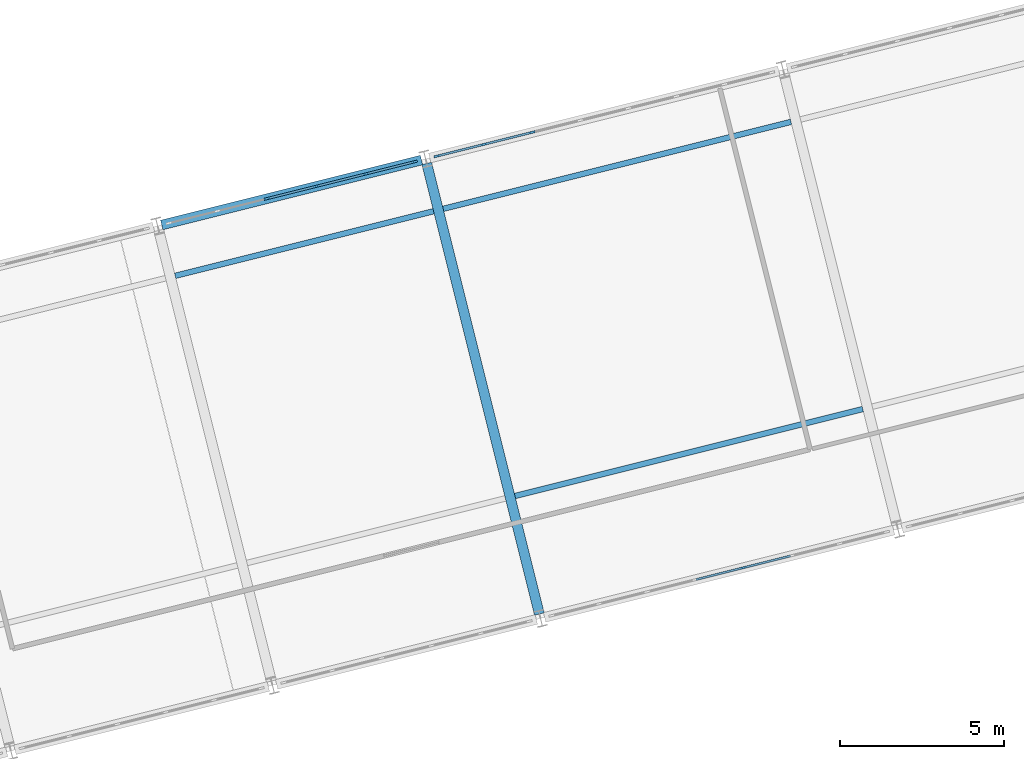
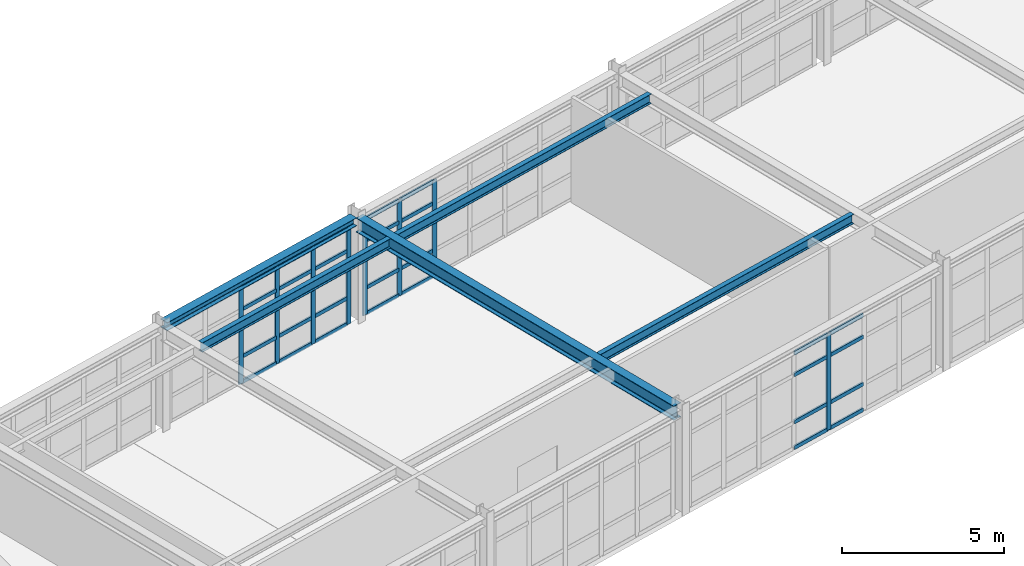
# One storey, part 29 of 99: 36 members, 5 beams, 3 elements without a shape of their own.
"""IFC4 building model written with IfcOpenShell, lengths in metres."""

import ifcopenshell
import ifcopenshell.guid

model = None  # the IFC model being written
_history = None  # IfcOwnerHistory: only IFC2X3 demands one
_inside = {}  # id of a spatial element -> (the spatial element, [elements in it])
_under = {}  # id of a project, library or spatial element -> (it, [spatial elements below it])
_declared = {}  # id of a project -> (the project, [libraries it declares])
_typed = {}  # id of a type object -> (the type object, [elements of that type])
_made_of = {}  # id of a material, layer set ... -> (it, [elements and type objects made of it])


def new_model(schema):
    """Start an empty IFC model of exactly this schema.

    Asked for "IFC4X3", IfcOpenShell would pick the latest addendum, in which some entities
    have other attributes; the version numbers below select the first issue.
    IFC2X3 requires an IfcOwnerHistory on every rooted entity: one is made here for all.
    """
    global model, _history
    if schema == "IFC4X3":
        model = ifcopenshell.file(schema_version=(4, 3, 0, 0))
    else:
        model = ifcopenshell.file(schema=schema)
    _inside.clear()
    _under.clear()
    _declared.clear()
    _typed.clear()
    _made_of.clear()
    _history = None
    if model.schema == "IFC2X3":
        org = make("IfcOrganization", Name="unknown")
        user = make(
            "IfcPersonAndOrganization",
            ThePerson=make("IfcPerson", FamilyName="unknown"),
            TheOrganization=org,
        )
        app = make(
            "IfcApplication",
            ApplicationDeveloper=org,
            Version="unknown",
            ApplicationFullName="unknown",
            ApplicationIdentifier="unknown",
        )
        _history = make(
            "IfcOwnerHistory",
            OwningUser=user,
            OwningApplication=app,
            ChangeAction="ADDED",
            CreationDate=0,
        )
    return model


def make(cls, **values):
    """One entity of the class cls with the attributes given. An attribute that is None is left unset."""
    return model.create_entity(
        cls, **{name: value for name, value in values.items() if value is not None}
    )


def rooted(cls, **values):
    """An entity with a GlobalId (a new one), such as an element, a storey or a relation."""
    return make(cls, GlobalId=ifcopenshell.guid.new(), OwnerHistory=_history, **values)


def si_unit(unit_type, name, prefix=None):
    """IfcSIUnit, for example si_unit("LENGTHUNIT", "METRE", prefix="MILLI")."""
    return make("IfcSIUnit", UnitType=unit_type, Prefix=prefix, Name=name)


def assignment(units):
    """IfcUnitAssignment: the units of a project."""
    return None if units is None else make("IfcUnitAssignment", Units=units)


def point(xyz):
    """IfcCartesianPoint."""
    return None if xyz is None else make("IfcCartesianPoint", Coordinates=xyz)


def direction(xyz):
    """IfcDirection."""
    return None if xyz is None else make("IfcDirection", DirectionRatios=xyz)


def frame(location, z_axis=None, x_axis=None):
    """IfcAxis2Placement3D, a coordinate frame: its origin and axes. An axis left out is left unset."""
    return make(
        "IfcAxis2Placement3D",
        Location=point(location),
        Axis=direction(z_axis),
        RefDirection=direction(x_axis),
    )


def frame_2d(location, x_axis=None):
    """IfcAxis2Placement2D, a coordinate frame in the plane: its origin and x axis."""
    return make(
        "IfcAxis2Placement2D", Location=point(location), RefDirection=direction(x_axis)
    )


def origin():
    """The frame at (0, 0, 0) with its axes left unset."""
    return frame((0.0, 0.0, 0.0))


def origin_2d():
    """The frame at (0, 0) in the plane with its x axis left unset."""
    return frame_2d((0.0, 0.0))


def place(relative_to, where):
    """IfcLocalPlacement: puts the frame where relative to a parent placement (None: the world)."""
    return make(
        "IfcLocalPlacement", PlacementRelTo=relative_to, RelativePlacement=where
    )


def context(
    kind, dimensions, precision=None, world=None, true_north=None, identifier=None
):
    """IfcGeometricRepresentationContext, for example the 3D "Model" context."""
    return make(
        "IfcGeometricRepresentationContext",
        ContextIdentifier=identifier,
        ContextType=kind,
        CoordinateSpaceDimension=dimensions,
        Precision=precision,
        WorldCoordinateSystem=world,
        TrueNorth=true_north,
    )


def subcontext(parent, identifier, kind, view, scale=None):
    """IfcGeometricRepresentationSubContext, for example "Body" below "Model"."""
    return make(
        "IfcGeometricRepresentationSubContext",
        ContextIdentifier=identifier,
        ContextType=kind,
        ParentContext=parent,
        TargetScale=scale,
        TargetView=view,
    )


def project(units=None, contexts=None):
    """IfcProject with its units and contexts."""
    return rooted(
        "IfcProject",
        Name="project",
        RepresentationContexts=contexts,
        UnitsInContext=assignment(units),
    )


def spatial(cls, under=None, at=None, **own):
    """A site, building, storey or space (cls), placed at a placement, below another one or the project."""
    s = rooted(cls, ObjectPlacement=at, **own)
    if under is not None:
        _under.setdefault(under.id(), (under, []))[1].append(s)
    return s


def profile(cls, at=None, kind="AREA", **sizes):
    """A parametric profile (cls). Its sizes go by their IFC names, for example OverallWidth=200.0."""
    return make(cls, ProfileType=kind, Position=at, **sizes)


def rectangle(**sizes):
    """IfcRectangleProfileDef."""
    return profile("IfcRectangleProfileDef", **sizes)


def i_section(**sizes):
    """IfcIShapeProfileDef."""
    return profile("IfcIShapeProfileDef", **sizes)


def extrude(swept, where, along, depth):
    """IfcExtrudedAreaSolid: the profile swept, set in the frame where, extruded along a direction by depth."""
    return make(
        "IfcExtrudedAreaSolid",
        SweptArea=swept,
        Position=where,
        ExtrudedDirection=direction(along),
        Depth=depth,
    )


def shape(context_of_items, identifier, shape_type, items):
    """IfcShapeRepresentation: the items that make up one representation, for example the "Body"."""
    return make(
        "IfcShapeRepresentation",
        ContextOfItems=context_of_items,
        RepresentationIdentifier=identifier,
        RepresentationType=shape_type,
        Items=items,
    )


def material(Name=None, Category=None):
    """IfcMaterial."""
    return make("IfcMaterial", Name=Name, Category=Category)


def layer(
    of_material, thickness, ventilated=None, Name=None, Category=None, Priority=None
):
    """IfcMaterialLayer: one layer of a wall or slab, of a material (None: an air gap)."""
    return make(
        "IfcMaterialLayer",
        Material=of_material,
        LayerThickness=thickness,
        IsVentilated=ventilated,
        Name=Name,
        Category=Category,
        Priority=Priority,
    )


def layer_set(layers, Name=None):
    """IfcMaterialLayerSet."""
    return make("IfcMaterialLayerSet", MaterialLayers=layers, LayerSetName=Name)


def material_profile(
    of_material, cross_section, Name=None, Category=None, Priority=None
):
    """IfcMaterialProfile: a cross section and its material."""
    return make(
        "IfcMaterialProfile",
        Name=Name,
        Material=of_material,
        Profile=cross_section,
        Priority=Priority,
        Category=Category,
    )


def profile_set(profiles, Name=None, composite=None):
    """IfcMaterialProfileSet."""
    return make(
        "IfcMaterialProfileSet",
        Name=Name,
        MaterialProfiles=profiles,
        CompositeProfile=composite,
    )


def made_of(thing, what):
    """Note that an element or type object is made of a material, layer set ...; save() writes the relation."""
    if what is not None:
        _made_of.setdefault(what.id(), (what, []))[1].append(thing)
    return thing


def type_object(cls, material=None, **own):
    """A type object (cls), such as IfcWallType, which elements share."""
    return made_of(rooted(cls, **own), material)


def element(
    cls,
    number,
    at=None,
    inside=None,
    cuts=None,
    type_object=None,
    material=None,
    context=None,
    identifier="Body",
    shape_type=None,
    held_by="IfcProductDefinitionShape",
    body=None,
    shapes=None,
    **own,
):
    """One element of the class cls, such as IfcWall. Its Tag is "e" and its number.

    at: its placement. inside: the storey or other place that contains it. cuts: it is an
    opening in that element (IfcRelVoidsElement). A single representation is given by context,
    identifier, shape_type and body (its items); several are given by shapes. held_by: the class
    of the entity that holds the representations. save() writes the other relations.
    """
    e = rooted(cls, Tag="e%d" % number, ObjectPlacement=at, **own)
    if body is not None:
        shapes = [shape(context, identifier, shape_type, body)]
    if shapes is not None:
        e.Representation = make(held_by, Representations=shapes)
    if inside is not None:
        _inside.setdefault(inside.id(), (inside, []))[1].append(e)
    if cuts is not None:
        rooted(
            "IfcRelVoidsElement", RelatingBuildingElement=cuts, RelatedOpeningElement=e
        )
    if type_object is not None:
        _typed.setdefault(type_object.id(), (type_object, []))[1].append(e)
    return made_of(e, material)


def aggregate(whole, parts):
    """IfcRelAggregates: a whole, such as a stair, and the parts it consists of."""
    return rooted("IfcRelAggregates", RelatingObject=whole, RelatedObjects=parts)


def save(model, path):
    """Write the relations noted so far, then the file.

    IfcRelAggregates (storeys below a building ...), IfcRelContainedInSpatialStructure (elements
    in a storey), IfcRelDefinesByType, IfcRelAssociatesMaterial and IfcRelDeclares: one each for
    every whole, place, type object, material and project.
    """
    for whole, parts in _under.values():
        aggregate(whole, parts)
    for where, things in _inside.values():
        rooted(
            "IfcRelContainedInSpatialStructure",
            RelatedElements=things,
            RelatingStructure=where,
        )
    for kind, things in _typed.values():
        rooted("IfcRelDefinesByType", RelatedObjects=things, RelatingType=kind)
    for what, things in _made_of.values():
        rooted("IfcRelAssociatesMaterial", RelatedObjects=things, RelatingMaterial=what)
    for by, libraries in _declared.values():
        rooted("IfcRelDeclares", RelatingContext=by, RelatedDefinitions=libraries)
    model.write(path)


model = new_model("IFC4")

# Units and contexts
model_context = context("Model", 3, precision=1e-05, world=origin(), true_north=direction((0.0, 1.0)))
body_context = subcontext(model_context, "Body", "Model", "MODEL_VIEW")
ifc_project = project(units=[si_unit("LENGTHUNIT", "METRE"), si_unit("AREAUNIT", "SQUARE_METRE"), si_unit("VOLUMEUNIT", "CUBIC_METRE"), si_unit("PLANEANGLEUNIT", "RADIAN"), si_unit("MASSUNIT", "GRAM", prefix="KILO")], contexts=[model_context])

# Site, building, storey
site_placement = place(None, origin())
site = spatial("IfcSite", under=ifc_project, at=site_placement, CompositionType="ELEMENT")
building_placement = place(site_placement, origin())
building = spatial("IfcBuilding", under=site, at=building_placement, Name="Nordkorset Police Headquarters", CompositionType="ELEMENT")
storey_placement = place(building_placement, frame((0.0, 0.0, 5.25)))
storey = spatial("IfcBuildingStorey", under=building, at=storey_placement, Name="L01", CompositionType="ELEMENT", Elevation=5.25)

# Beams
ifc_material_1 = material(Name="Steel S355J2", Category="steel")
ifc_material_profile_1 = material_profile(ifc_material_1, i_section(OverallWidth=0.169921875, OverallDepth=0.360107421875, WebThickness=0.008056640625, FlangeThickness=0.0126953125, FilletRadius=0.01806640625, at=origin_2d()), Name="IPE 360")
ifc_profile_set_1 = profile_set([ifc_material_profile_1], Name="Steel S355J2")
beam_type_1 = type_object("IfcBeamType", Name="Beam_IPE_360", PredefinedType="BEAM", material=ifc_profile_set_1)
beam_1_placement = place(storey_placement, frame((40.431884765625, 59.40185546875, 3.780029296875), z_axis=(0.970140727133, 0.242542716974, 0.0), x_axis=(-0.242542716974, 0.970140727133, 0.0)))
element("IfcBeam", 1, at=beam_1_placement, inside=storey, type_object=beam_type_1, Name="Splayed Wing Secondary Beam L01 2-2", PredefinedType="BEAM", context=body_context, shape_type="SweptSolid", body=[
    extrude(i_section(OverallWidth=0.169921875, OverallDepth=0.360107421875, WebThickness=0.008056640625, FlangeThickness=0.0126953125, FilletRadius=0.01806640625, at=origin_2d()), origin(), (0.0, 0.0, 1.0), 8.10009765625),
])
for number, where, z_axis, x_axis, name in (
    (2, (50.763916015625, 52.7080078125, 3.780029296875), (0.970145135142, 0.242525084807, 0.0), (-0.242525084807, 0.970145135142, 0.0), "Splayed Wing Secondary Beam L01 3-1"),
    (3, (48.5810546875, 61.439208984375, 3.780029296875), (0.970145135142, 0.242525084807, 0.0), (-0.242525084807, 0.970145135142, 0.0), "Splayed Wing Secondary Beam L01 3-2"),
):
    element("IfcBeam", number, at=place(storey_placement, frame(where, z_axis=z_axis, x_axis=x_axis)), inside=storey, type_object=beam_type_1, Name=name, PredefinedType="BEAM", context=body_context, shape_type="SweptSolid", body=[
        extrude(i_section(OverallWidth=0.169921875, OverallDepth=0.360107421875, WebThickness=0.008056640625, FlangeThickness=0.0126953125, FilletRadius=0.01806640625, at=origin_2d()), origin(), (0.0, 0.0, 1.0), 10.900146484375),
    ])

# Curtain wall, members
ifc_material_2 = material(Name="Aluminium alloy AW-6060", Category="aluminium")
ifc_layer_1 = layer(ifc_material_2, 0.179931640625, Name="Aluminium alloy AW-6060")
ifc_layer_set_1 = layer_set([ifc_layer_1], Name="Aluminium alloy AW-6060")
curtain_wall_type_1 = type_object("IfcCurtainWallType", Name="CW_Unit_776x363", PredefinedType="USERDEFINED", material=ifc_layer_set_1)
curtain_wall_1_placement = place(storey_placement, origin())
curtain_wall_1 = element("IfcCurtainWall", 4, at=curtain_wall_1_placement, inside=storey, type_object=curtain_wall_type_1, Name="Unitised Curtain Wall L01 V4N-2", ObjectType="UNITISED CURTAIN WALL", PredefinedType="USERDEFINED")
ifc_material_3 = material(Name="Aluminium alloy AW-6060", Category="aluminium")
ifc_material_profile_2 = material_profile(ifc_material_3, rectangle(XDim=0.06494140625, YDim=0.179931640625, at=origin_2d()), Name="ALU MULL 65x180")
ifc_profile_set_2 = profile_set([ifc_material_profile_2], Name="Aluminium alloy AW-6060")
member_type_1 = type_object("IfcMemberType", Name="CW_Mullion_65x180", PredefinedType="MULLION", material=ifc_profile_set_2)
member_1_placement = place(storey_placement, frame((43.22021484375, 61.748291015625, 0.0), z_axis=(0.0, 0.0, 1.0), x_axis=(-0.242535928242, 0.970142424344, 0.0)))
member_1 = element("IfcMember", 5, at=member_1_placement, type_object=member_type_1, Name="CW-47 mullion 3", PredefinedType="MULLION", context=body_context, shape_type="SweptSolid", body=[
    extrude(rectangle(XDim=0.06494140625, YDim=0.179931640625, at=origin_2d()), origin(), (0.0, 0.0, 1.0), 3.6298828125),
])
member_2_placement = place(storey_placement, frame((44.725830078125, 62.124755859375, 0.0), z_axis=(0.0, 0.0, 1.0), x_axis=(-0.242535928242, 0.970142424344, 0.0)))
member_2 = element("IfcMember", 6, at=member_2_placement, type_object=member_type_1, Name="CW-47 mullion 4", PredefinedType="MULLION", context=body_context, shape_type="SweptSolid", body=[
    extrude(rectangle(XDim=0.06494140625, YDim=0.179931640625, at=origin_2d()), origin(), (0.0, 0.0, 1.0), 3.6298828125),
])
member_3_placement = place(storey_placement, frame((46.2314453125, 62.5009765625, 0.0), z_axis=(0.0, 0.0, 1.0), x_axis=(-0.242535928242, 0.970142424344, 0.0)))
member_3 = element("IfcMember", 7, at=member_3_placement, type_object=member_type_1, Name="CW-47 mullion 5", PredefinedType="MULLION", context=body_context, shape_type="SweptSolid", body=[
    extrude(rectangle(XDim=0.06494140625, YDim=0.179931640625, at=origin_2d()), origin(), (0.0, 0.0, 1.0), 3.6298828125),
])
member_4_placement = place(storey_placement, frame((47.70556640625, 62.86962890625, 0.0), z_axis=(0.0, 0.0, 1.0), x_axis=(-0.242535928242, 0.970142424344, 0.0)))
member_4 = element("IfcMember", 8, at=member_4_placement, type_object=member_type_1, Name="CW-47 mullion 6", PredefinedType="MULLION", context=body_context, shape_type="SweptSolid", body=[
    extrude(rectangle(XDim=0.06494140625, YDim=0.179931640625, at=origin_2d()), origin(), (0.0, 0.0, 1.0), 3.6298828125),
])

# Curtain wall, member
ifc_material_4 = material(Name="Aluminium alloy AW-6060", Category="aluminium")
ifc_layer_2 = layer(ifc_material_4, 0.179931640625, Name="Aluminium alloy AW-6060")
ifc_layer_set_2 = layer_set([ifc_layer_2], Name="Aluminium alloy AW-6060")
curtain_wall_type_2 = type_object("IfcCurtainWallType", Name="CW_Unit_1056x363", PredefinedType="USERDEFINED", material=ifc_layer_set_2)
curtain_wall_2_placement = place(storey_placement, origin())
curtain_wall_2 = element("IfcCurtainWall", 9, at=curtain_wall_2_placement, inside=storey, type_object=curtain_wall_type_2, Name="Unitised Curtain Wall L01 V4S-3", ObjectType="UNITISED CURTAIN WALL", PredefinedType="USERDEFINED")
member_5_placement = place(storey_placement, frame((57.70458984375, 50.526123046875, 0.0), z_axis=(0.0, 0.0, 1.0), x_axis=(-0.242535179399, 0.970142611554, 0.0)))
member_5 = element("IfcMember", 10, at=member_5_placement, type_object=member_type_1, Name="CW-96 mullion 5", PredefinedType="MULLION", context=body_context, shape_type="SweptSolid", body=[
    extrude(rectangle(XDim=0.06494140625, YDim=0.179931640625, at=origin_2d()), origin(), (0.0, 0.0, 1.0), 3.6298828125),
])

# Curtain wall, members
curtain_wall_3_placement = place(storey_placement, origin())
curtain_wall_3 = element("IfcCurtainWall", 11, at=curtain_wall_3_placement, inside=storey, type_object=curtain_wall_type_2, Name="Unitised Curtain Wall L01 V4N-3", ObjectType="UNITISED CURTAIN WALL", PredefinedType="USERDEFINED")
member_6_placement = place(storey_placement, frame((48.3896484375, 63.04052734375, 0.0), z_axis=(0.0, 0.0, 1.0), x_axis=(-0.242536070676, 0.970142388735, 0.0)))
member_6 = element("IfcMember", 12, at=member_6_placement, type_object=member_type_1, Name="CW-96 mullion 1", PredefinedType="MULLION", context=body_context, shape_type="SweptSolid", body=[
    extrude(rectangle(XDim=0.06494140625, YDim=0.179931640625, at=origin_2d()), origin(), (0.0, 0.0, 1.0), 3.6298828125),
])
member_7_placement = place(storey_placement, frame((49.821533203125, 63.398681640625, 0.0), z_axis=(0.0, 0.0, 1.0), x_axis=(-0.242536070676, 0.970142388735, 0.0)))
member_7 = element("IfcMember", 13, at=member_7_placement, type_object=member_type_1, Name="CW-96 mullion 2", PredefinedType="MULLION", context=body_context, shape_type="SweptSolid", body=[
    extrude(rectangle(XDim=0.06494140625, YDim=0.179931640625, at=origin_2d()), origin(), (0.0, 0.0, 1.0), 3.6298828125),
])
member_8_placement = place(storey_placement, frame((51.28515625, 63.764404296875, 0.0), z_axis=(0.0, 0.0, 1.0), x_axis=(-0.242536070676, 0.970142388735, 0.0)))
member_8 = element("IfcMember", 14, at=member_8_placement, type_object=member_type_1, Name="CW-96 mullion 3", PredefinedType="MULLION", context=body_context, shape_type="SweptSolid", body=[
    extrude(rectangle(XDim=0.06494140625, YDim=0.179931640625, at=origin_2d()), origin(), (0.0, 0.0, 1.0), 3.6298828125),
])

# Member
ifc_material_5 = material(Name="Aluminium alloy AW-6060", Category="aluminium")
ifc_material_profile_3 = material_profile(ifc_material_5, rectangle(XDim=0.06494140625, YDim=0.139892578125, at=origin_2d()), Name="ALU TRAN 65x140")
ifc_profile_set_3 = profile_set([ifc_material_profile_3], Name="Aluminium alloy AW-6060")
member_type_2 = type_object("IfcMemberType", Name="CW_Transom_65x140", PredefinedType="USERDEFINED", material=ifc_profile_set_3)
member_9_placement = place(storey_placement, frame((43.251708984375, 61.756103515625, 0.032470703125), z_axis=(0.970152157148, 0.242496993757, 0.0), x_axis=(-0.242496993757, 0.970152157148, 0.0)))
member_9 = element("IfcMember", 15, at=member_9_placement, type_object=member_type_2, Name="CW-47 transom 3.1", ObjectType="TRANSOM", PredefinedType="USERDEFINED", context=body_context, shape_type="SweptSolid", body=[
    extrude(rectangle(XDim=0.06494140625, YDim=0.139892578125, at=origin_2d()), origin(), (0.0, 0.0, 1.0), 1.487060546875),
])

member_10_placement = place(storey_placement, frame((43.251708984375, 61.756103515625, 1.0), z_axis=(0.970152157148, 0.242496993757, 0.0), x_axis=(-0.242496993757, 0.970152157148, 0.0)))
member_10 = element("IfcMember", 16, at=member_10_placement, type_object=member_type_2, Name="CW-47 transom 3.2", ObjectType="TRANSOM", PredefinedType="USERDEFINED", context=body_context, shape_type="SweptSolid", body=[
    extrude(rectangle(XDim=0.06494140625, YDim=0.139892578125, at=origin_2d()), origin(), (0.0, 0.0, 1.0), 1.487060546875),
])

member_11_placement = place(storey_placement, frame((43.251708984375, 61.756103515625, 2.780029296875), z_axis=(0.970152157148, 0.242496993757, 0.0), x_axis=(-0.242496993757, 0.970152157148, 0.0)))
member_11 = element("IfcMember", 17, at=member_11_placement, type_object=member_type_2, Name="CW-47 transom 3.3", ObjectType="TRANSOM", PredefinedType="USERDEFINED", context=body_context, shape_type="SweptSolid", body=[
    extrude(rectangle(XDim=0.06494140625, YDim=0.139892578125, at=origin_2d()), origin(), (0.0, 0.0, 1.0), 1.487060546875),
])

member_12_placement = place(storey_placement, frame((43.251708984375, 61.756103515625, 3.597412109375), z_axis=(0.970152157148, 0.242496993757, 0.0), x_axis=(-0.242496993757, 0.970152157148, 0.0)))
member_12 = element("IfcMember", 18, at=member_12_placement, type_object=member_type_2, Name="CW-47 transom 3.4", ObjectType="TRANSOM", PredefinedType="USERDEFINED", context=body_context, shape_type="SweptSolid", body=[
    extrude(rectangle(XDim=0.06494140625, YDim=0.139892578125, at=origin_2d()), origin(), (0.0, 0.0, 1.0), 1.487060546875),
])

member_13_placement = place(storey_placement, frame((44.75732421875, 62.132568359375, 0.032470703125), z_axis=(0.970152157148, 0.242496993757, 0.0), x_axis=(-0.242496993757, 0.970152157148, 0.0)))
member_13 = element("IfcMember", 19, at=member_13_placement, type_object=member_type_2, Name="CW-47 transom 4.1", ObjectType="TRANSOM", PredefinedType="USERDEFINED", context=body_context, shape_type="SweptSolid", body=[
    extrude(rectangle(XDim=0.06494140625, YDim=0.139892578125, at=origin_2d()), origin(), (0.0, 0.0, 1.0), 1.487060546875),
])

member_14_placement = place(storey_placement, frame((44.75732421875, 62.132568359375, 1.0), z_axis=(0.970152157148, 0.242496993757, 0.0), x_axis=(-0.242496993757, 0.970152157148, 0.0)))
member_14 = element("IfcMember", 20, at=member_14_placement, type_object=member_type_2, Name="CW-47 transom 4.2", ObjectType="TRANSOM", PredefinedType="USERDEFINED", context=body_context, shape_type="SweptSolid", body=[
    extrude(rectangle(XDim=0.06494140625, YDim=0.139892578125, at=origin_2d()), origin(), (0.0, 0.0, 1.0), 1.487060546875),
])

member_15_placement = place(storey_placement, frame((44.75732421875, 62.132568359375, 2.780029296875), z_axis=(0.970152157148, 0.242496993757, 0.0), x_axis=(-0.242496993757, 0.970152157148, 0.0)))
member_15 = element("IfcMember", 21, at=member_15_placement, type_object=member_type_2, Name="CW-47 transom 4.3", ObjectType="TRANSOM", PredefinedType="USERDEFINED", context=body_context, shape_type="SweptSolid", body=[
    extrude(rectangle(XDim=0.06494140625, YDim=0.139892578125, at=origin_2d()), origin(), (0.0, 0.0, 1.0), 1.487060546875),
])

member_16_placement = place(storey_placement, frame((44.75732421875, 62.132568359375, 3.597412109375), z_axis=(0.970152157148, 0.242496993757, 0.0), x_axis=(-0.242496993757, 0.970152157148, 0.0)))
member_16 = element("IfcMember", 22, at=member_16_placement, type_object=member_type_2, Name="CW-47 transom 4.4", ObjectType="TRANSOM", PredefinedType="USERDEFINED", context=body_context, shape_type="SweptSolid", body=[
    extrude(rectangle(XDim=0.06494140625, YDim=0.139892578125, at=origin_2d()), origin(), (0.0, 0.0, 1.0), 1.487060546875),
])

member_17_placement = place(storey_placement, frame((46.262939453125, 62.509033203125, 0.032470703125), z_axis=(0.970142500145, 0.242535625036, 0.0), x_axis=(-0.242535625036, 0.970142500145, 0.0)))
member_17 = element("IfcMember", 23, at=member_17_placement, type_object=member_type_2, Name="CW-47 transom 5.1", ObjectType="TRANSOM", PredefinedType="USERDEFINED", context=body_context, shape_type="SweptSolid", body=[
    extrude(rectangle(XDim=0.06494140625, YDim=0.139892578125, at=origin_2d()), origin(), (0.0, 0.0, 1.0), 1.45458984375),
])

member_18_placement = place(storey_placement, frame((46.262939453125, 62.509033203125, 1.0), z_axis=(0.970142500145, 0.242535625036, 0.0), x_axis=(-0.242535625036, 0.970142500145, 0.0)))
member_18 = element("IfcMember", 24, at=member_18_placement, type_object=member_type_2, Name="CW-47 transom 5.2", ObjectType="TRANSOM", PredefinedType="USERDEFINED", context=body_context, shape_type="SweptSolid", body=[
    extrude(rectangle(XDim=0.06494140625, YDim=0.139892578125, at=origin_2d()), origin(), (0.0, 0.0, 1.0), 1.45458984375),
])

member_19_placement = place(storey_placement, frame((46.262939453125, 62.509033203125, 2.780029296875), z_axis=(0.970142500145, 0.242535625036, 0.0), x_axis=(-0.242535625036, 0.970142500145, 0.0)))
member_19 = element("IfcMember", 25, at=member_19_placement, type_object=member_type_2, Name="CW-47 transom 5.3", ObjectType="TRANSOM", PredefinedType="USERDEFINED", context=body_context, shape_type="SweptSolid", body=[
    extrude(rectangle(XDim=0.06494140625, YDim=0.139892578125, at=origin_2d()), origin(), (0.0, 0.0, 1.0), 1.45458984375),
])

member_20_placement = place(storey_placement, frame((46.262939453125, 62.509033203125, 3.597412109375), z_axis=(0.970142500145, 0.242535625036, 0.0), x_axis=(-0.242535625036, 0.970142500145, 0.0)))
member_20 = element("IfcMember", 26, at=member_20_placement, type_object=member_type_2, Name="CW-47 transom 5.4", ObjectType="TRANSOM", PredefinedType="USERDEFINED", context=body_context, shape_type="SweptSolid", body=[
    extrude(rectangle(XDim=0.06494140625, YDim=0.139892578125, at=origin_2d()), origin(), (0.0, 0.0, 1.0), 1.45458984375),
])

aggregate(curtain_wall_1, [member_1, member_2, member_3, member_4, member_9, member_10, member_11, member_12, member_13, member_14, member_15, member_16, member_17, member_18, member_19, member_20])

member_21_placement = place(storey_placement, frame((56.272705078125, 50.168212890625, 0.032470703125), z_axis=(0.970142500145, 0.242535625036, 0.0), x_axis=(-0.242535625036, 0.970142500145, 0.0)))
member_21 = element("IfcMember", 27, at=member_21_placement, type_object=member_type_2, Name="CW-96 transom 4.1", ObjectType="TRANSOM", PredefinedType="USERDEFINED", context=body_context, shape_type="SweptSolid", body=[
    extrude(rectangle(XDim=0.06494140625, YDim=0.139892578125, at=origin_2d()), origin(), (0.0, 0.0, 1.0), 1.443603515625),
])

member_22_placement = place(storey_placement, frame((56.272705078125, 50.168212890625, 1.0), z_axis=(0.970142500145, 0.242535625036, 0.0), x_axis=(-0.242535625036, 0.970142500145, 0.0)))
member_22 = element("IfcMember", 28, at=member_22_placement, type_object=member_type_2, Name="CW-96 transom 4.2", ObjectType="TRANSOM", PredefinedType="USERDEFINED", context=body_context, shape_type="SweptSolid", body=[
    extrude(rectangle(XDim=0.06494140625, YDim=0.139892578125, at=origin_2d()), origin(), (0.0, 0.0, 1.0), 1.443603515625),
])

member_23_placement = place(storey_placement, frame((56.272705078125, 50.168212890625, 2.780029296875), z_axis=(0.970142500145, 0.242535625036, 0.0), x_axis=(-0.242535625036, 0.970142500145, 0.0)))
member_23 = element("IfcMember", 29, at=member_23_placement, type_object=member_type_2, Name="CW-96 transom 4.3", ObjectType="TRANSOM", PredefinedType="USERDEFINED", context=body_context, shape_type="SweptSolid", body=[
    extrude(rectangle(XDim=0.06494140625, YDim=0.139892578125, at=origin_2d()), origin(), (0.0, 0.0, 1.0), 1.443603515625),
])

member_24_placement = place(storey_placement, frame((56.272705078125, 50.168212890625, 3.597412109375), z_axis=(0.970142500145, 0.242535625036, 0.0), x_axis=(-0.242535625036, 0.970142500145, 0.0)))
member_24 = element("IfcMember", 30, at=member_24_placement, type_object=member_type_2, Name="CW-96 transom 4.4", ObjectType="TRANSOM", PredefinedType="USERDEFINED", context=body_context, shape_type="SweptSolid", body=[
    extrude(rectangle(XDim=0.06494140625, YDim=0.139892578125, at=origin_2d()), origin(), (0.0, 0.0, 1.0), 1.443603515625),
])

member_25_placement = place(storey_placement, frame((57.736083984375, 50.533935546875, 0.032470703125), z_axis=(0.970112652058, 0.242654986178, 0.0), x_axis=(-0.242654986178, 0.970112652058, 0.0)))
member_25 = element("IfcMember", 31, at=member_25_placement, type_object=member_type_2, Name="CW-96 transom 5.1", ObjectType="TRANSOM", PredefinedType="USERDEFINED", context=body_context, shape_type="SweptSolid", body=[
    extrude(rectangle(XDim=0.06494140625, YDim=0.139892578125, at=origin_2d()), origin(), (0.0, 0.0, 1.0), 1.44384765625),
])

member_26_placement = place(storey_placement, frame((57.736083984375, 50.533935546875, 1.0), z_axis=(0.970112652058, 0.242654986178, 0.0), x_axis=(-0.242654986178, 0.970112652058, 0.0)))
member_26 = element("IfcMember", 32, at=member_26_placement, type_object=member_type_2, Name="CW-96 transom 5.2", ObjectType="TRANSOM", PredefinedType="USERDEFINED", context=body_context, shape_type="SweptSolid", body=[
    extrude(rectangle(XDim=0.06494140625, YDim=0.139892578125, at=origin_2d()), origin(), (0.0, 0.0, 1.0), 1.44384765625),
])

member_27_placement = place(storey_placement, frame((57.736083984375, 50.533935546875, 2.780029296875), z_axis=(0.970112652058, 0.242654986178, 0.0), x_axis=(-0.242654986178, 0.970112652058, 0.0)))
member_27 = element("IfcMember", 33, at=member_27_placement, type_object=member_type_2, Name="CW-96 transom 5.3", ObjectType="TRANSOM", PredefinedType="USERDEFINED", context=body_context, shape_type="SweptSolid", body=[
    extrude(rectangle(XDim=0.06494140625, YDim=0.139892578125, at=origin_2d()), origin(), (0.0, 0.0, 1.0), 1.44384765625),
])

member_28_placement = place(storey_placement, frame((57.736083984375, 50.533935546875, 3.597412109375), z_axis=(0.970112652058, 0.242654986178, 0.0), x_axis=(-0.242654986178, 0.970112652058, 0.0)))
member_28 = element("IfcMember", 34, at=member_28_placement, type_object=member_type_2, Name="CW-96 transom 5.4", ObjectType="TRANSOM", PredefinedType="USERDEFINED", context=body_context, shape_type="SweptSolid", body=[
    extrude(rectangle(XDim=0.06494140625, YDim=0.139892578125, at=origin_2d()), origin(), (0.0, 0.0, 1.0), 1.44384765625),
])

aggregate(curtain_wall_2, [member_5, member_21, member_22, member_23, member_24, member_25, member_26, member_27, member_28])

member_29_placement = place(storey_placement, frame((48.421142578125, 63.04833984375, 0.032470703125), z_axis=(0.970132321548, 0.242576335796, 0.0), x_axis=(-0.242576335796, 0.970132321548, 0.0)))
member_29 = element("IfcMember", 35, at=member_29_placement, type_object=member_type_2, Name="CW-96 transom 1.1", ObjectType="TRANSOM", PredefinedType="USERDEFINED", context=body_context, shape_type="SweptSolid", body=[
    extrude(rectangle(XDim=0.06494140625, YDim=0.139892578125, at=origin_2d()), origin(), (0.0, 0.0, 1.0), 1.4111328125),
])

member_30_placement = place(storey_placement, frame((48.421142578125, 63.04833984375, 1.0), z_axis=(0.970132321548, 0.242576335796, 0.0), x_axis=(-0.242576335796, 0.970132321548, 0.0)))
member_30 = element("IfcMember", 36, at=member_30_placement, type_object=member_type_2, Name="CW-96 transom 1.2", ObjectType="TRANSOM", PredefinedType="USERDEFINED", context=body_context, shape_type="SweptSolid", body=[
    extrude(rectangle(XDim=0.06494140625, YDim=0.139892578125, at=origin_2d()), origin(), (0.0, 0.0, 1.0), 1.4111328125),
])

member_31_placement = place(storey_placement, frame((48.421142578125, 63.04833984375, 2.780029296875), z_axis=(0.970132321548, 0.242576335796, 0.0), x_axis=(-0.242576335796, 0.970132321548, 0.0)))
member_31 = element("IfcMember", 37, at=member_31_placement, type_object=member_type_2, Name="CW-96 transom 1.3", ObjectType="TRANSOM", PredefinedType="USERDEFINED", context=body_context, shape_type="SweptSolid", body=[
    extrude(rectangle(XDim=0.06494140625, YDim=0.139892578125, at=origin_2d()), origin(), (0.0, 0.0, 1.0), 1.4111328125),
])

member_32_placement = place(storey_placement, frame((48.421142578125, 63.04833984375, 3.597412109375), z_axis=(0.970132321548, 0.242576335796, 0.0), x_axis=(-0.242576335796, 0.970132321548, 0.0)))
member_32 = element("IfcMember", 38, at=member_32_placement, type_object=member_type_2, Name="CW-96 transom 1.4", ObjectType="TRANSOM", PredefinedType="USERDEFINED", context=body_context, shape_type="SweptSolid", body=[
    extrude(rectangle(XDim=0.06494140625, YDim=0.139892578125, at=origin_2d()), origin(), (0.0, 0.0, 1.0), 1.4111328125),
])

member_33_placement = place(storey_placement, frame((49.85302734375, 63.406494140625, 0.032470703125), z_axis=(0.970152446652, 0.242495835541, 0.0), x_axis=(-0.242495835541, 0.970152446652, 0.0)))
member_33 = element("IfcMember", 39, at=member_33_placement, type_object=member_type_2, Name="CW-96 transom 2.1", ObjectType="TRANSOM", PredefinedType="USERDEFINED", context=body_context, shape_type="SweptSolid", body=[
    extrude(rectangle(XDim=0.06494140625, YDim=0.139892578125, at=origin_2d()), origin(), (0.0, 0.0, 1.0), 1.44384765625),
])

member_34_placement = place(storey_placement, frame((49.85302734375, 63.406494140625, 1.0), z_axis=(0.970152446652, 0.242495835541, 0.0), x_axis=(-0.242495835541, 0.970152446652, 0.0)))
member_34 = element("IfcMember", 40, at=member_34_placement, type_object=member_type_2, Name="CW-96 transom 2.2", ObjectType="TRANSOM", PredefinedType="USERDEFINED", context=body_context, shape_type="SweptSolid", body=[
    extrude(rectangle(XDim=0.06494140625, YDim=0.139892578125, at=origin_2d()), origin(), (0.0, 0.0, 1.0), 1.44384765625),
])

member_35_placement = place(storey_placement, frame((49.85302734375, 63.406494140625, 2.780029296875), z_axis=(0.970152446652, 0.242495835541, 0.0), x_axis=(-0.242495835541, 0.970152446652, 0.0)))
member_35 = element("IfcMember", 41, at=member_35_placement, type_object=member_type_2, Name="CW-96 transom 2.3", ObjectType="TRANSOM", PredefinedType="USERDEFINED", context=body_context, shape_type="SweptSolid", body=[
    extrude(rectangle(XDim=0.06494140625, YDim=0.139892578125, at=origin_2d()), origin(), (0.0, 0.0, 1.0), 1.44384765625),
])

member_36_placement = place(storey_placement, frame((49.85302734375, 63.406494140625, 3.597412109375), z_axis=(0.970152446652, 0.242495835541, 0.0), x_axis=(-0.242495835541, 0.970152446652, 0.0)))
member_36 = element("IfcMember", 42, at=member_36_placement, type_object=member_type_2, Name="CW-96 transom 2.4", ObjectType="TRANSOM", PredefinedType="USERDEFINED", context=body_context, shape_type="SweptSolid", body=[
    extrude(rectangle(XDim=0.06494140625, YDim=0.139892578125, at=origin_2d()), origin(), (0.0, 0.0, 1.0), 1.44384765625),
])

aggregate(curtain_wall_3, [member_6, member_7, member_8, member_29, member_30, member_31, member_32, member_33, member_34, member_35, member_36])

# Beams
ifc_material_6 = material(Name="Steel S355J2", Category="steel")
ifc_material_profile_4 = material_profile(ifc_material_6, i_section(OverallWidth=0.300048828125, OverallDepth=0.5400390625, WebThickness=0.012451171875, FlangeThickness=0.02392578125, FilletRadius=0.027099609375, at=origin_2d()), Name="HEA 550")
ifc_profile_set_4 = profile_set([ifc_material_profile_4], Name="Steel S355J2")
beam_type_2 = type_object("IfcBeamType", Name="Girder_HEA_550", PredefinedType="USERDEFINED", material=ifc_profile_set_4)
beam_2_placement = place(storey_placement, frame((51.506103515625, 49.120849609375, 3.68994140625), z_axis=(-0.24253155672, 0.970143517215, 0.0), x_axis=(-0.970143517215, -0.24253155672, 0.0)))
element("IfcBeam", 43, at=beam_2_placement, inside=storey, type_object=beam_type_2, Name="Splayed Wing Transverse Girder L01 3", ObjectType="GIRDER", PredefinedType="USERDEFINED", context=body_context, shape_type="SweptSolid", body=[
    extrude(i_section(OverallWidth=0.300048828125, OverallDepth=0.5400390625, WebThickness=0.012451171875, FlangeThickness=0.02392578125, FilletRadius=0.027099609375, at=origin_2d()), origin(), (0.0, 0.0, 1.0), 14.1201171875),
])
ifc_material_7 = material(Name="Steel S355J2", Category="steel")
ifc_material_profile_5 = material_profile(ifc_material_7, i_section(OverallWidth=0.300048828125, OverallDepth=0.31005859375, WebThickness=0.009033203125, FlangeThickness=0.015380859375, FilletRadius=0.027099609375, at=origin_2d()), Name="HEA 320")
ifc_profile_set_5 = profile_set([ifc_material_profile_5], Name="Steel S355J2")
beam_type_3 = type_object("IfcBeamType", Name="Spandrel_HEA_320", PredefinedType="SPANDREL", material=ifc_profile_set_5)
beam_3_placement = place(storey_placement, frame((40.0244140625, 60.94921875, 3.804931640625), z_axis=(0.970138971508, 0.242549739151, 0.0), x_axis=(-0.242549739151, 0.970138971508, 0.0)))
element("IfcBeam", 44, at=beam_3_placement, inside=storey, type_object=beam_type_3, Name="Splayed Wing Spandrel L01 2-1", PredefinedType="SPANDREL", context=body_context, shape_type="SweptSolid", body=[
    extrude(i_section(OverallWidth=0.300048828125, OverallDepth=0.31005859375, WebThickness=0.009033203125, FlangeThickness=0.015380859375, FilletRadius=0.027099609375, at=origin_2d()), origin(), (0.0, 0.0, 1.0), 8.14013671875),
])

save(model, "model.ifc")
